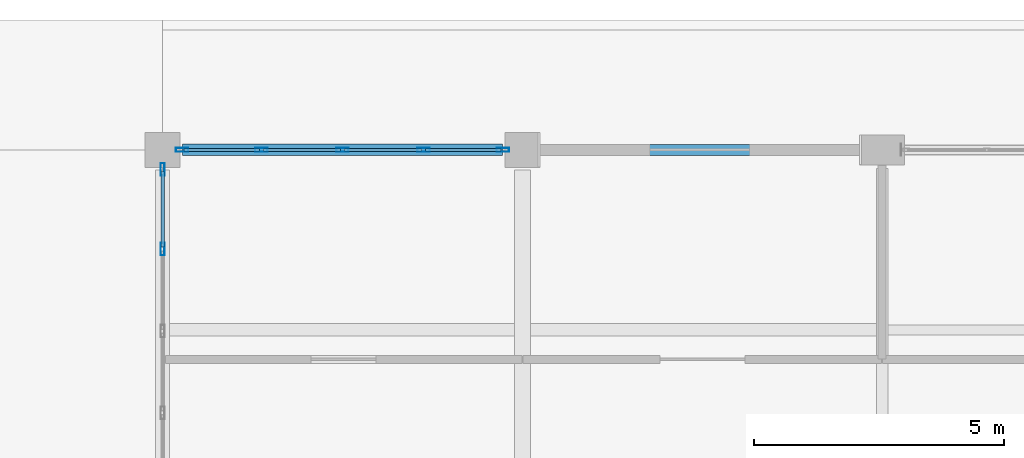
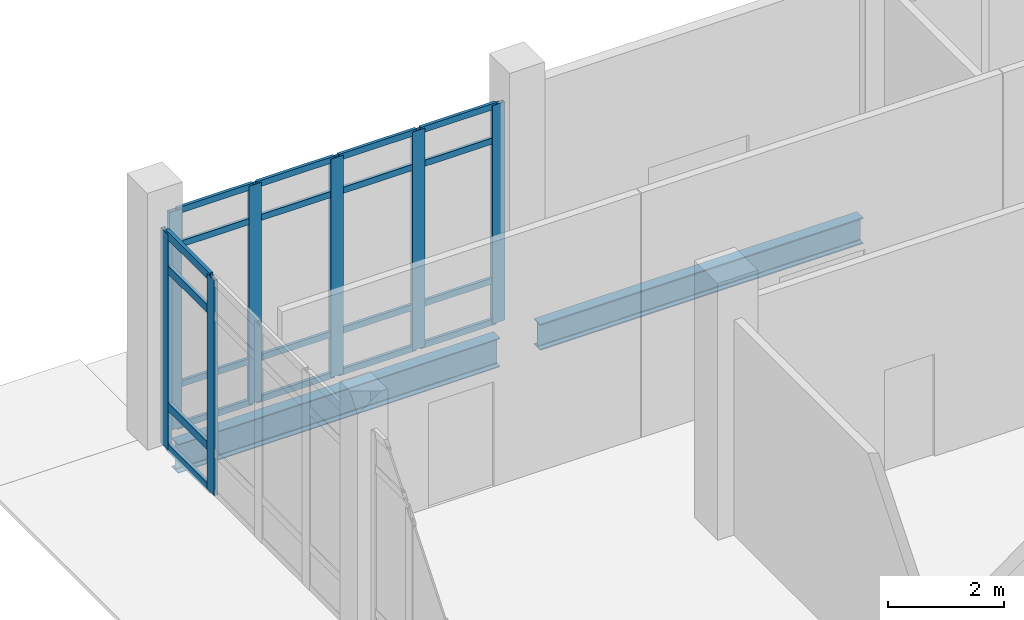
# One storey, part 87 of 229: 27 members, 2 beams, 2 elements without a shape of their own.
"""IFC4 building model written with IfcOpenShell, lengths in metres."""

from ifc_helpers import new_model, si_unit, direction, frame, origin, origin_2d, place, context, subcontext, project, spatial, hollow_rectangle, i_section, extrude, material, layer, layer_set, material_profile, profile_set, type_object, element, aggregate, save


model = new_model("IFC4")

# Units and contexts
model_context = context("Model", 3, precision=1e-05, world=origin(), true_north=direction((0.0, 1.0)))
body_context = subcontext(model_context, "Body", "Model", "MODEL_VIEW")
ifc_project = project(units=[si_unit("LENGTHUNIT", "METRE"), si_unit("AREAUNIT", "SQUARE_METRE"), si_unit("VOLUMEUNIT", "CUBIC_METRE"), si_unit("PLANEANGLEUNIT", "RADIAN"), si_unit("MASSUNIT", "GRAM", prefix="KILO")], contexts=[model_context])

# Site, building, storey
site_placement = place(None, origin())
site = spatial("IfcSite", under=ifc_project, at=site_placement, CompositionType="ELEMENT")
building_placement = place(site_placement, origin())
building = spatial("IfcBuilding", under=site, at=building_placement, Name="Calvrana Isthmian Art Gallery", CompositionType="ELEMENT")
storey_placement = place(building_placement, origin())
storey = spatial("IfcBuildingStorey", under=building, at=storey_placement, Name="L00", CompositionType="ELEMENT", Elevation=0.0)

# Beams
ifc_material_1 = material(Name="Steel ASTM A992 Gr 50", Category="steel")
ifc_material_profile_1 = material_profile(ifc_material_1, i_section(OverallWidth=0.214111328125, OverallDepth=0.549072265625, WebThickness=0.0146484375, FlangeThickness=0.023681640625, FilletRadius=0.02099609375, at=origin_2d()), Name="W21X93")
ifc_profile_set_1 = profile_set([ifc_material_profile_1], Name="Steel ASTM A992 Gr 50")
beam_type_1 = type_object("IfcBeamType", Name="BM-G-W21X93", PredefinedType="BEAM", material=ifc_profile_set_1)
beam_1_placement = place(storey_placement, frame((7.60009765625, 112.800048828125, -0.5595703125), z_axis=(1.0, 0.0, 0.0), x_axis=(0.0, 1.0, 0.0)))
element("IfcBeam", 1, at=beam_1_placement, inside=storey, type_object=beam_type_1, Name="Girder X L00 02-03/P", PredefinedType="BEAM", context=body_context, shape_type="SweptSolid", body=[
    extrude(i_section(OverallWidth=0.214111328125, OverallDepth=0.549072265625, WebThickness=0.0146484375, FlangeThickness=0.023681640625, FilletRadius=0.02099609375, at=origin_2d()), origin(), (0.0, 0.0, 1.0), 6.4248046875),
])
ifc_material_profile_2 = material_profile(ifc_material_1, i_section(OverallWidth=0.22802734375, OverallDepth=0.60693359375, WebThickness=0.01123046875, FlangeThickness=0.017333984375, FilletRadius=0.02197265625, at=origin_2d()), Name="W24X76")
ifc_profile_set_2 = profile_set([ifc_material_profile_2], Name="Steel ASTM A992 Gr 50")
beam_type_2 = type_object("IfcBeamType", Name="BM-G-W24X76", PredefinedType="BEAM", material=ifc_profile_set_2)
beam_2_placement = place(storey_placement, frame((0.39990234375, 112.800048828125, -0.58837890625), z_axis=(1.0, 0.0, 0.0), x_axis=(0.0, 1.0, 0.0)))
element("IfcBeam", 2, at=beam_2_placement, inside=storey, type_object=beam_type_2, Name="Girder X L00 01-02/P", PredefinedType="BEAM", context=body_context, shape_type="SweptSolid", body=[
    extrude(i_section(OverallWidth=0.22802734375, OverallDepth=0.60693359375, WebThickness=0.01123046875, FlangeThickness=0.017333984375, FilletRadius=0.02197265625, at=origin_2d()), origin(), (0.0, 0.0, 1.0), 6.400146484375),
])

# Curtain wall, members
ifc_material_2 = material(Name="Anodized bronze aluminium 6063-T6", Category="aluminium")
ifc_layer_1 = layer(ifc_material_2, 0.179931640625, Name="Anodized bronze aluminium 6063-T6")
ifc_layer_set_1 = layer_set([ifc_layer_1], Name="Anodized bronze aluminium 6063-T6")
curtain_wall_type_1 = type_object("IfcCurtainWallType", Name="CW-STICK-065X46", PredefinedType="NOTDEFINED", material=ifc_layer_set_1)
curtain_wall_1_placement = place(storey_placement, origin())
curtain_wall_1 = element("IfcCurtainWall", 3, at=curtain_wall_1_placement, inside=storey, type_object=curtain_wall_type_1, Name="Curtain wall CW-041", PredefinedType="NOTDEFINED")
ifc_material_profile_3 = material_profile(ifc_material_2, hollow_rectangle(XDim=0.080078125, YDim=0.25, WallThickness=0.005615234375, at=origin_2d()), Name="CWM80X250")
ifc_profile_set_3 = profile_set([ifc_material_profile_3], Name="Anodized bronze aluminium 6063-T6")
member_type_1 = type_object("IfcMemberType", Name="CWM-CWM80X250", PredefinedType="MULLION", material=ifc_profile_set_3)
member_1_placement = place(storey_placement, frame((0.389892578125, 112.800048828125, 0.0), z_axis=(0.0, 0.0, 1.0), x_axis=(0.0, 1.0, 0.0)))
member_1 = element("IfcMember", 4, at=member_1_placement, type_object=member_type_1, Name="CW-041 mullion 1", PredefinedType="MULLION", context=body_context, shape_type="SweptSolid", body=[
    extrude(hollow_rectangle(XDim=0.080078125, YDim=0.25, WallThickness=0.005615234375, at=origin_2d()), origin(), (0.0, 0.0, 1.0), 4.591064453125),
])
member_2_placement = place(storey_placement, frame((1.97509765625, 112.800048828125, 0.0), z_axis=(0.0, 0.0, 1.0), x_axis=(0.0, 1.0, 0.0)))
member_2 = element("IfcMember", 5, at=member_2_placement, type_object=member_type_1, Name="CW-041 mullion 2", PredefinedType="MULLION", context=body_context, shape_type="SweptSolid", body=[
    extrude(hollow_rectangle(XDim=0.080078125, YDim=0.25, WallThickness=0.005615234375, at=origin_2d()), origin(), (0.0, 0.0, 1.0), 4.591064453125),
])
member_3_placement = place(storey_placement, frame((3.60009765625, 112.800048828125, 0.0), z_axis=(0.0, 0.0, 1.0), x_axis=(0.0, 1.0, 0.0)))
member_3 = element("IfcMember", 6, at=member_3_placement, type_object=member_type_1, Name="CW-041 mullion 3", PredefinedType="MULLION", context=body_context, shape_type="SweptSolid", body=[
    extrude(hollow_rectangle(XDim=0.080078125, YDim=0.25, WallThickness=0.005615234375, at=origin_2d()), origin(), (0.0, 0.0, 1.0), 4.591064453125),
])
member_4_placement = place(storey_placement, frame((5.22509765625, 112.800048828125, 0.0), z_axis=(0.0, 0.0, 1.0), x_axis=(0.0, 1.0, 0.0)))
member_4 = element("IfcMember", 7, at=member_4_placement, type_object=member_type_1, Name="CW-041 mullion 4", PredefinedType="MULLION", context=body_context, shape_type="SweptSolid", body=[
    extrude(hollow_rectangle(XDim=0.080078125, YDim=0.25, WallThickness=0.005615234375, at=origin_2d()), origin(), (0.0, 0.0, 1.0), 4.591064453125),
])
member_5_placement = place(storey_placement, frame((6.81005859375, 112.800048828125, 0.0), z_axis=(0.0, 0.0, 1.0), x_axis=(0.0, 1.0, 0.0)))
member_5 = element("IfcMember", 8, at=member_5_placement, type_object=member_type_1, Name="CW-041 mullion 5", PredefinedType="MULLION", context=body_context, shape_type="SweptSolid", body=[
    extrude(hollow_rectangle(XDim=0.080078125, YDim=0.25, WallThickness=0.005615234375, at=origin_2d()), origin(), (0.0, 0.0, 1.0), 4.591064453125),
])

ifc_layer_2 = layer(ifc_material_2, 0.179931640625, Name="Anodized bronze aluminium 6063-T6")
ifc_layer_set_2 = layer_set([ifc_layer_2], Name="Anodized bronze aluminium 6063-T6")
curtain_wall_type_2 = type_object("IfcCurtainWallType", Name="CW-UNIT-065X45", PredefinedType="USERDEFINED", material=ifc_layer_set_2)
curtain_wall_2_placement = place(storey_placement, origin())
curtain_wall_2 = element("IfcCurtainWall", 9, at=curtain_wall_2_placement, inside=storey, type_object=curtain_wall_type_2, Name="Curtain wall CW-053", ObjectType="UNITISED CURTAIN WALL", PredefinedType="USERDEFINED")
member_6_placement = place(storey_placement, frame((0.0, 110.8125, 0.0), z_axis=(0.0, 0.0, 1.0), x_axis=(-1.0, 0.0, 0.0)))
member_6 = element("IfcMember", 10, at=member_6_placement, type_object=member_type_1, Name="CW-053 mullion 4", PredefinedType="MULLION", context=body_context, shape_type="SweptSolid", body=[
    extrude(hollow_rectangle(XDim=0.080078125, YDim=0.25, WallThickness=0.005615234375, at=origin_2d()), origin(), (0.0, 0.0, 1.0), 4.528076171875),
])
member_7_placement = place(storey_placement, frame((0.0, 112.409912109375, 0.0), z_axis=(0.0, 0.0, 1.0), x_axis=(-1.0, 0.0, 0.0)))
member_7 = element("IfcMember", 11, at=member_7_placement, type_object=member_type_1, Name="CW-053 mullion 5", PredefinedType="MULLION", context=body_context, shape_type="SweptSolid", body=[
    extrude(hollow_rectangle(XDim=0.080078125, YDim=0.25, WallThickness=0.005615234375, at=origin_2d()), origin(), (0.0, 0.0, 1.0), 4.528076171875),
])

# Member
ifc_material_profile_4 = material_profile(ifc_material_2, hollow_rectangle(XDim=0.06005859375, YDim=0.1298828125, WallThickness=0.00390625, at=origin_2d()), Name="CWT60X130")
ifc_profile_set_4 = profile_set([ifc_material_profile_4], Name="Anodized bronze aluminium 6063-T6")
member_type_2 = type_object("IfcMemberType", Name="CWT-CWT60X130", PredefinedType="USERDEFINED", material=ifc_profile_set_4)
member_8_placement = place(storey_placement, frame((0.429931640625, 112.800048828125, 0.030029296875), z_axis=(1.0, 0.0, 0.0), x_axis=(0.0, 1.0, 0.0)))
member_8 = element("IfcMember", 12, at=member_8_placement, type_object=member_type_2, Name="CW-041 transom 1.1", ObjectType="TRANSOM", PredefinedType="USERDEFINED", context=body_context, shape_type="SweptSolid", body=[
    extrude(hollow_rectangle(XDim=0.06005859375, YDim=0.1298828125, WallThickness=0.00390625, at=origin_2d()), origin(), (0.0, 0.0, 1.0), 1.505126953125),
])

member_9_placement = place(storey_placement, frame((0.429931640625, 112.800048828125, 0.89990234375), z_axis=(1.0, 0.0, 0.0), x_axis=(0.0, 1.0, 0.0)))
member_9 = element("IfcMember", 13, at=member_9_placement, type_object=member_type_2, Name="CW-041 transom 1.2", ObjectType="TRANSOM", PredefinedType="USERDEFINED", context=body_context, shape_type="SweptSolid", body=[
    extrude(hollow_rectangle(XDim=0.06005859375, YDim=0.1298828125, WallThickness=0.00390625, at=origin_2d()), origin(), (0.0, 0.0, 1.0), 1.505126953125),
])

member_10_placement = place(storey_placement, frame((0.429931640625, 112.800048828125, 3.841064453125), z_axis=(1.0, 0.0, 0.0), x_axis=(0.0, 1.0, 0.0)))
member_10 = element("IfcMember", 14, at=member_10_placement, type_object=member_type_2, Name="CW-041 transom 1.3", ObjectType="TRANSOM", PredefinedType="USERDEFINED", context=body_context, shape_type="SweptSolid", body=[
    extrude(hollow_rectangle(XDim=0.06005859375, YDim=0.1298828125, WallThickness=0.00390625, at=origin_2d()), origin(), (0.0, 0.0, 1.0), 1.505126953125),
])

member_11_placement = place(storey_placement, frame((0.429931640625, 112.800048828125, 4.56103515625), z_axis=(1.0, 0.0, 0.0), x_axis=(0.0, 1.0, 0.0)))
member_11 = element("IfcMember", 15, at=member_11_placement, type_object=member_type_2, Name="CW-041 transom 1.4", ObjectType="TRANSOM", PredefinedType="USERDEFINED", context=body_context, shape_type="SweptSolid", body=[
    extrude(hollow_rectangle(XDim=0.06005859375, YDim=0.1298828125, WallThickness=0.00390625, at=origin_2d()), origin(), (0.0, 0.0, 1.0), 1.505126953125),
])

member_12_placement = place(storey_placement, frame((2.014892578125, 112.800048828125, 0.030029296875), z_axis=(1.0, 0.0, 0.0), x_axis=(0.0, 1.0, 0.0)))
member_12 = element("IfcMember", 16, at=member_12_placement, type_object=member_type_2, Name="CW-041 transom 2.1", ObjectType="TRANSOM", PredefinedType="USERDEFINED", context=body_context, shape_type="SweptSolid", body=[
    extrude(hollow_rectangle(XDim=0.06005859375, YDim=0.1298828125, WallThickness=0.00390625, at=origin_2d()), origin(), (0.0, 0.0, 1.0), 1.545166015625),
])

member_13_placement = place(storey_placement, frame((2.014892578125, 112.800048828125, 0.89990234375), z_axis=(1.0, 0.0, 0.0), x_axis=(0.0, 1.0, 0.0)))
member_13 = element("IfcMember", 17, at=member_13_placement, type_object=member_type_2, Name="CW-041 transom 2.2", ObjectType="TRANSOM", PredefinedType="USERDEFINED", context=body_context, shape_type="SweptSolid", body=[
    extrude(hollow_rectangle(XDim=0.06005859375, YDim=0.1298828125, WallThickness=0.00390625, at=origin_2d()), origin(), (0.0, 0.0, 1.0), 1.545166015625),
])

member_14_placement = place(storey_placement, frame((2.014892578125, 112.800048828125, 3.841064453125), z_axis=(1.0, 0.0, 0.0), x_axis=(0.0, 1.0, 0.0)))
member_14 = element("IfcMember", 18, at=member_14_placement, type_object=member_type_2, Name="CW-041 transom 2.3", ObjectType="TRANSOM", PredefinedType="USERDEFINED", context=body_context, shape_type="SweptSolid", body=[
    extrude(hollow_rectangle(XDim=0.06005859375, YDim=0.1298828125, WallThickness=0.00390625, at=origin_2d()), origin(), (0.0, 0.0, 1.0), 1.545166015625),
])

member_15_placement = place(storey_placement, frame((2.014892578125, 112.800048828125, 4.56103515625), z_axis=(1.0, 0.0, 0.0), x_axis=(0.0, 1.0, 0.0)))
member_15 = element("IfcMember", 19, at=member_15_placement, type_object=member_type_2, Name="CW-041 transom 2.4", ObjectType="TRANSOM", PredefinedType="USERDEFINED", context=body_context, shape_type="SweptSolid", body=[
    extrude(hollow_rectangle(XDim=0.06005859375, YDim=0.1298828125, WallThickness=0.00390625, at=origin_2d()), origin(), (0.0, 0.0, 1.0), 1.545166015625),
])

member_16_placement = place(storey_placement, frame((3.639892578125, 112.800048828125, 0.030029296875), z_axis=(1.0, 0.0, 0.0), x_axis=(0.0, 1.0, 0.0)))
member_16 = element("IfcMember", 20, at=member_16_placement, type_object=member_type_2, Name="CW-041 transom 3.1", ObjectType="TRANSOM", PredefinedType="USERDEFINED", context=body_context, shape_type="SweptSolid", body=[
    extrude(hollow_rectangle(XDim=0.06005859375, YDim=0.1298828125, WallThickness=0.00390625, at=origin_2d()), origin(), (0.0, 0.0, 1.0), 1.545166015625),
])

member_17_placement = place(storey_placement, frame((3.639892578125, 112.800048828125, 0.89990234375), z_axis=(1.0, 0.0, 0.0), x_axis=(0.0, 1.0, 0.0)))
member_17 = element("IfcMember", 21, at=member_17_placement, type_object=member_type_2, Name="CW-041 transom 3.2", ObjectType="TRANSOM", PredefinedType="USERDEFINED", context=body_context, shape_type="SweptSolid", body=[
    extrude(hollow_rectangle(XDim=0.06005859375, YDim=0.1298828125, WallThickness=0.00390625, at=origin_2d()), origin(), (0.0, 0.0, 1.0), 1.545166015625),
])

member_18_placement = place(storey_placement, frame((3.639892578125, 112.800048828125, 3.841064453125), z_axis=(1.0, 0.0, 0.0), x_axis=(0.0, 1.0, 0.0)))
member_18 = element("IfcMember", 22, at=member_18_placement, type_object=member_type_2, Name="CW-041 transom 3.3", ObjectType="TRANSOM", PredefinedType="USERDEFINED", context=body_context, shape_type="SweptSolid", body=[
    extrude(hollow_rectangle(XDim=0.06005859375, YDim=0.1298828125, WallThickness=0.00390625, at=origin_2d()), origin(), (0.0, 0.0, 1.0), 1.545166015625),
])

member_19_placement = place(storey_placement, frame((3.639892578125, 112.800048828125, 4.56103515625), z_axis=(1.0, 0.0, 0.0), x_axis=(0.0, 1.0, 0.0)))
member_19 = element("IfcMember", 23, at=member_19_placement, type_object=member_type_2, Name="CW-041 transom 3.4", ObjectType="TRANSOM", PredefinedType="USERDEFINED", context=body_context, shape_type="SweptSolid", body=[
    extrude(hollow_rectangle(XDim=0.06005859375, YDim=0.1298828125, WallThickness=0.00390625, at=origin_2d()), origin(), (0.0, 0.0, 1.0), 1.545166015625),
])

member_20_placement = place(storey_placement, frame((5.264892578125, 112.800048828125, 0.030029296875), z_axis=(1.0, 0.0, 0.0), x_axis=(0.0, 1.0, 0.0)))
member_20 = element("IfcMember", 24, at=member_20_placement, type_object=member_type_2, Name="CW-041 transom 4.1", ObjectType="TRANSOM", PredefinedType="USERDEFINED", context=body_context, shape_type="SweptSolid", body=[
    extrude(hollow_rectangle(XDim=0.06005859375, YDim=0.1298828125, WallThickness=0.00390625, at=origin_2d()), origin(), (0.0, 0.0, 1.0), 1.505126953125),
])

member_21_placement = place(storey_placement, frame((5.264892578125, 112.800048828125, 0.89990234375), z_axis=(1.0, 0.0, 0.0), x_axis=(0.0, 1.0, 0.0)))
member_21 = element("IfcMember", 25, at=member_21_placement, type_object=member_type_2, Name="CW-041 transom 4.2", ObjectType="TRANSOM", PredefinedType="USERDEFINED", context=body_context, shape_type="SweptSolid", body=[
    extrude(hollow_rectangle(XDim=0.06005859375, YDim=0.1298828125, WallThickness=0.00390625, at=origin_2d()), origin(), (0.0, 0.0, 1.0), 1.505126953125),
])

member_22_placement = place(storey_placement, frame((5.264892578125, 112.800048828125, 3.841064453125), z_axis=(1.0, 0.0, 0.0), x_axis=(0.0, 1.0, 0.0)))
member_22 = element("IfcMember", 26, at=member_22_placement, type_object=member_type_2, Name="CW-041 transom 4.3", ObjectType="TRANSOM", PredefinedType="USERDEFINED", context=body_context, shape_type="SweptSolid", body=[
    extrude(hollow_rectangle(XDim=0.06005859375, YDim=0.1298828125, WallThickness=0.00390625, at=origin_2d()), origin(), (0.0, 0.0, 1.0), 1.505126953125),
])

member_23_placement = place(storey_placement, frame((5.264892578125, 112.800048828125, 4.56103515625), z_axis=(1.0, 0.0, 0.0), x_axis=(0.0, 1.0, 0.0)))
member_23 = element("IfcMember", 27, at=member_23_placement, type_object=member_type_2, Name="CW-041 transom 4.4", ObjectType="TRANSOM", PredefinedType="USERDEFINED", context=body_context, shape_type="SweptSolid", body=[
    extrude(hollow_rectangle(XDim=0.06005859375, YDim=0.1298828125, WallThickness=0.00390625, at=origin_2d()), origin(), (0.0, 0.0, 1.0), 1.505126953125),
])

aggregate(curtain_wall_1, [member_1, member_2, member_3, member_4, member_5, member_8, member_9, member_10, member_11, member_12, member_13, member_14, member_15, member_16, member_17, member_18, member_19, member_20, member_21, member_22, member_23])

ifc_material_profile_5 = material_profile(ifc_material_2, hollow_rectangle(XDim=0.070068359375, YDim=0.169921875, WallThickness=0.00439453125, at=origin_2d()), Name="CWT70X170")
ifc_profile_set_5 = profile_set([ifc_material_profile_5], Name="Anodized bronze aluminium 6063-T6")
member_type_3 = type_object("IfcMemberType", Name="CWT-CWT70X170", PredefinedType="USERDEFINED", material=ifc_profile_set_5)
member_24_placement = place(storey_placement, frame((0.0, 110.8525390625, 0.034912109375), z_axis=(0.0, 1.0, 0.0), x_axis=(-1.0, 0.0, 0.0)))
member_24 = element("IfcMember", 28, at=member_24_placement, type_object=member_type_3, Name="CW-053 transom 4.1", ObjectType="TRANSOM", PredefinedType="USERDEFINED", context=body_context, shape_type="SweptSolid", body=[
    extrude(hollow_rectangle(XDim=0.070068359375, YDim=0.169921875, WallThickness=0.00439453125, at=origin_2d()), origin(), (0.0, 0.0, 1.0), 1.517578125),
])

member_25_placement = place(storey_placement, frame((0.0, 110.8525390625, 0.89990234375), z_axis=(0.0, 1.0, 0.0), x_axis=(-1.0, 0.0, 0.0)))
member_25 = element("IfcMember", 29, at=member_25_placement, type_object=member_type_3, Name="CW-053 transom 4.2", ObjectType="TRANSOM", PredefinedType="USERDEFINED", context=body_context, shape_type="SweptSolid", body=[
    extrude(hollow_rectangle(XDim=0.070068359375, YDim=0.169921875, WallThickness=0.00439453125, at=origin_2d()), origin(), (0.0, 0.0, 1.0), 1.517578125),
])

member_26_placement = place(storey_placement, frame((0.0, 110.8525390625, 3.778076171875), z_axis=(0.0, 1.0, 0.0), x_axis=(-1.0, 0.0, 0.0)))
member_26 = element("IfcMember", 30, at=member_26_placement, type_object=member_type_3, Name="CW-053 transom 4.3", ObjectType="TRANSOM", PredefinedType="USERDEFINED", context=body_context, shape_type="SweptSolid", body=[
    extrude(hollow_rectangle(XDim=0.070068359375, YDim=0.169921875, WallThickness=0.00439453125, at=origin_2d()), origin(), (0.0, 0.0, 1.0), 1.517578125),
])

member_27_placement = place(storey_placement, frame((0.0, 110.8525390625, 4.492919921875), z_axis=(0.0, 1.0, 0.0), x_axis=(-1.0, 0.0, 0.0)))
member_27 = element("IfcMember", 31, at=member_27_placement, type_object=member_type_3, Name="CW-053 transom 4.4", ObjectType="TRANSOM", PredefinedType="USERDEFINED", context=body_context, shape_type="SweptSolid", body=[
    extrude(hollow_rectangle(XDim=0.070068359375, YDim=0.169921875, WallThickness=0.00439453125, at=origin_2d()), origin(), (0.0, 0.0, 1.0), 1.517578125),
])

aggregate(curtain_wall_2, [member_6, member_7, member_24, member_25, member_26, member_27])

save(model, "model.ifc")
